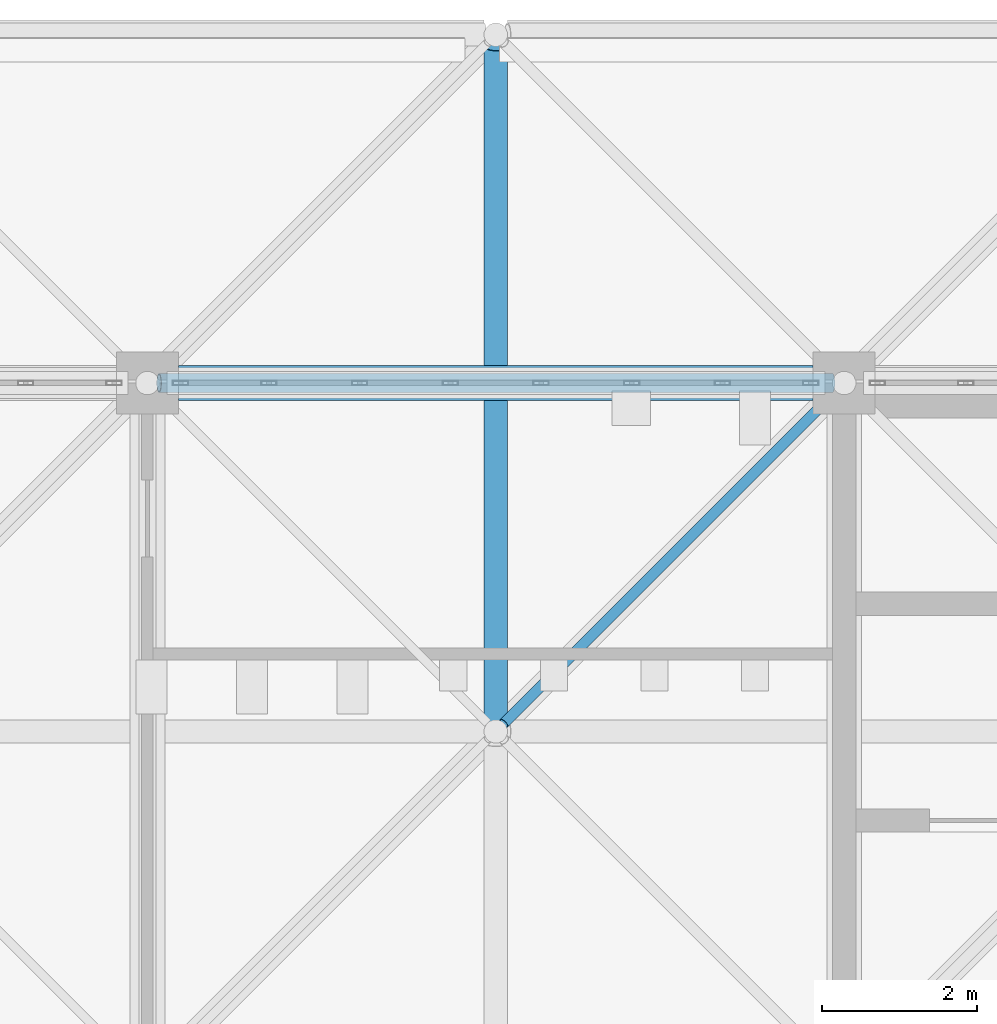
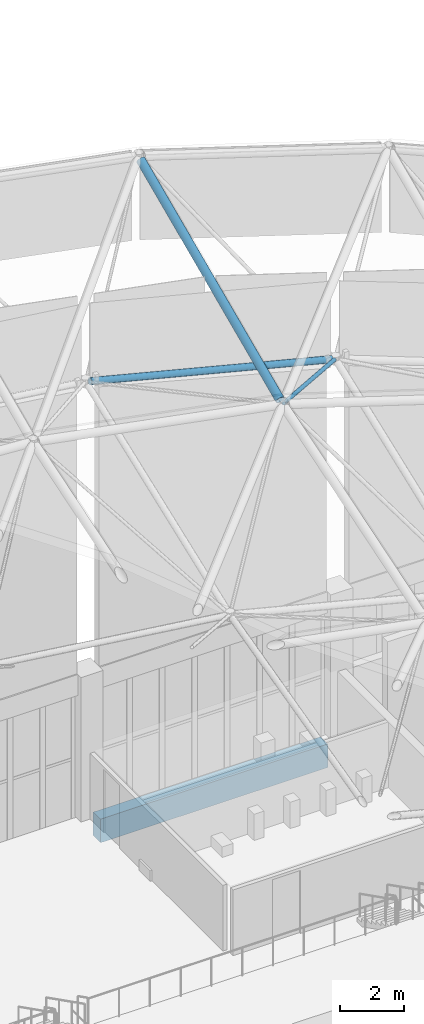
# One storey, part 136 of 437: 3 members, 1 beam.
"""IFC4 building model written with IfcOpenShell, lengths in metres."""

from ifc_helpers import new_model, si_unit, direction, frame, origin, origin_2d, place, context, subcontext, project, spatial, rectangle, hollow_circle, extrude, material, material_profile, profile_set, type_object, element, save


model = new_model("IFC4")

# Units and contexts
model_context = context("Model", 3, precision=1e-05, world=origin(), true_north=direction((0.0, 1.0)))
body_context = subcontext(model_context, "Body", "Model", "MODEL_VIEW")
ifc_project = project(units=[si_unit("LENGTHUNIT", "METRE"), si_unit("AREAUNIT", "SQUARE_METRE"), si_unit("VOLUMEUNIT", "CUBIC_METRE"), si_unit("PLANEANGLEUNIT", "RADIAN"), si_unit("MASSUNIT", "GRAM", prefix="KILO")], contexts=[model_context])

# Site, building, storey
site_placement = place(None, origin())
site = spatial("IfcSite", under=ifc_project, at=site_placement, CompositionType="ELEMENT")
building_placement = place(site_placement, origin())
building = spatial("IfcBuilding", under=site, at=building_placement, Name="Opaline Strait Convention Centre", CompositionType="ELEMENT")
storey_placement = place(building_placement, frame((0.0, 0.0, 11.5)))
storey = spatial("IfcBuildingStorey", under=building, at=storey_placement, Name="L02", CompositionType="ELEMENT", Elevation=11.5)

# Beam
ifc_material_1 = material(Name="Concrete C35", Category="concrete")
ifc_material_profile_1 = material_profile(ifc_material_1, rectangle(XDim=0.449951171875, YDim=0.89990234375, at=origin_2d()), Name="RC 450x900")
ifc_profile_set_1 = profile_set([ifc_material_profile_1], Name="Concrete C35")
beam_type = type_object("IfcBeamType", Name="RC floor beam 450x900 C35", PredefinedType="BEAM", material=ifc_profile_set_1)
beam_placement = place(storey_placement, frame((54.39990234375, 180.0, -0.72998046875), z_axis=(1.0, 0.0, 0.0), x_axis=(0.0, 1.0, 0.0)))
element("IfcBeam", 1, at=beam_placement, inside=storey, type_object=beam_type, Name="PFB1 L02 beam 7/W-8/W", PredefinedType="BEAM", context=body_context, shape_type="SweptSolid", body=[
    extrude(rectangle(XDim=0.449951171875, YDim=0.89990234375, at=origin_2d()), origin(), (0.0, 0.0, 1.0), 8.2001953125),
])

# Members
ifc_material_2 = material(Name="Steel Q355B", Category="steel")
ifc_material_profile_2 = material_profile(ifc_material_2, hollow_circle(Radius=0.12255859375, WallThickness=0.011962890625, at=origin_2d()), Name="CHS 245x12")
ifc_profile_set_2 = profile_set([ifc_material_profile_2], Name="Steel Q355B")
member_type_1 = type_object("IfcMemberType", Name="Shell truss bottom chord CHS 245x12", PredefinedType="CHORD", material=ifc_profile_set_2)
member_1_placement = place(storey_placement, frame((54.14990234375, 180.0, 16.37109375), z_axis=(0.969233447146, 0.0, -0.246143301624), x_axis=(0.0, 1.0, 0.0)))
element("IfcMember", 2, at=member_1_placement, inside=storey, type_object=member_type_1, Name="PBC2 bottom chord X6-8", PredefinedType="CHORD", context=body_context, shape_type="SweptSolid", body=[
    extrude(hollow_circle(Radius=0.12255859375, WallThickness=0.011962890625, at=origin_2d()), origin(), (0.0, 0.0, 1.0), 8.976318359375),
])
ifc_material_profile_3 = material_profile(ifc_material_2, hollow_circle(Radius=0.1494140625, WallThickness=0.01611328125, at=origin_2d()), Name="CHS 299x16")
ifc_profile_set_3 = profile_set([ifc_material_profile_3], Name="Steel Q355B")
member_type_2 = type_object("IfcMemberType", Name="Shell truss top chord CHS 299x16", PredefinedType="CHORD", material=ifc_profile_set_3)
member_2_placement = place(storey_placement, frame((58.5, 175.64990234375, 16.768798828125), z_axis=(0.0, 0.913813663494, 0.406133707555), x_axis=(-1.0, 0.0, 0.0)))
element("IfcMember", 3, at=member_2_placement, inside=storey, type_object=member_type_2, Name="PTC1 top chord Y7-8", PredefinedType="CHORD", context=body_context, shape_type="SweptSolid", body=[
    extrude(hollow_circle(Radius=0.1494140625, WallThickness=0.01611328125, at=origin_2d()), origin(), (0.0, 0.0, 1.0), 9.520751953125),
])
ifc_material_profile_4 = material_profile(ifc_material_2, hollow_circle(Radius=0.070068359375, WallThickness=0.008056640625, at=origin_2d()), Name="CHS 140x8")
ifc_profile_set_4 = profile_set([ifc_material_profile_4], Name="Steel Q355B")
member_type_3 = type_object("IfcMemberType", Name="Shell truss web CHS 140x8", PredefinedType="BRACE", material=ifc_profile_set_4)
member_3_placement = place(storey_placement, frame((62.893798828125, 179.893798828125, 14.184326171875), z_axis=(-0.655347879398, -0.655347879398, 0.375550680917), x_axis=(0.707106781187, -0.707106781187, 0.0)))
element("IfcMember", 4, at=member_3_placement, inside=storey, type_object=member_type_3, Name="PWB2 web 7-8ac", PredefinedType="BRACE", context=body_context, shape_type="SweptSolid", body=[
    extrude(hollow_circle(Radius=0.070068359375, WallThickness=0.008056640625, at=origin_2d()), origin(), (0.0, 0.0, 1.0), 6.54248046875),
])

save(model, "model.ifc")
